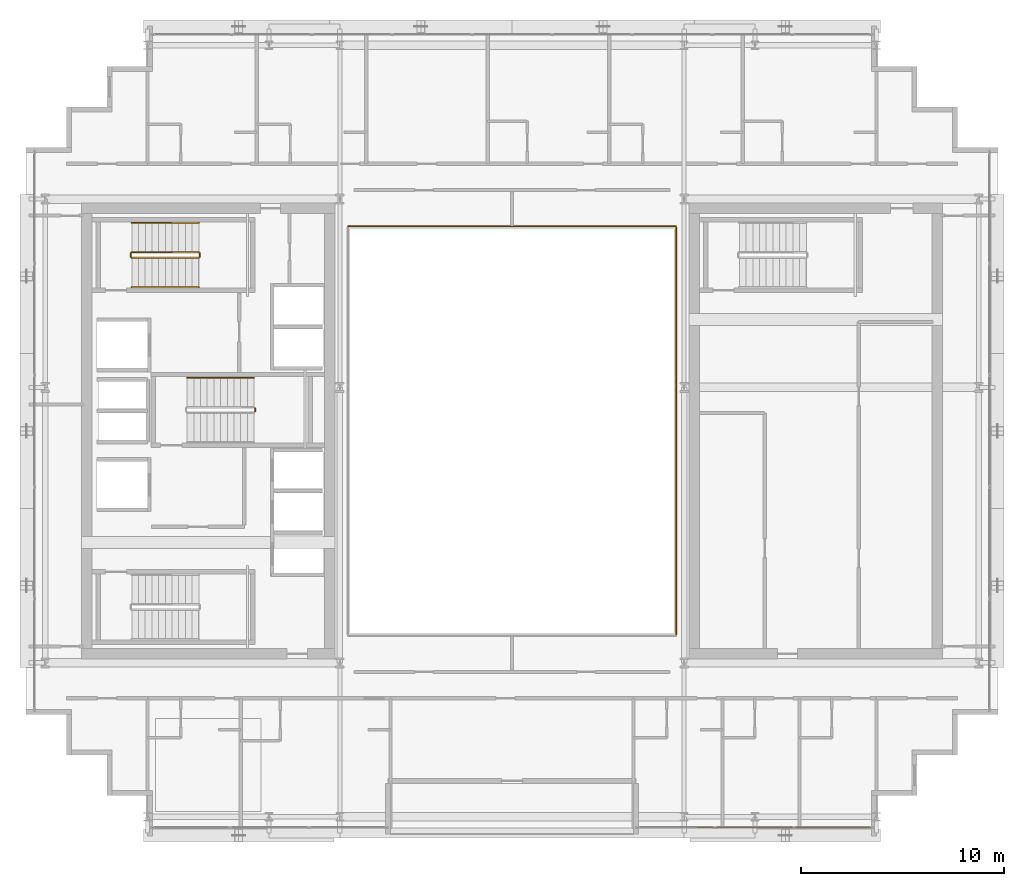
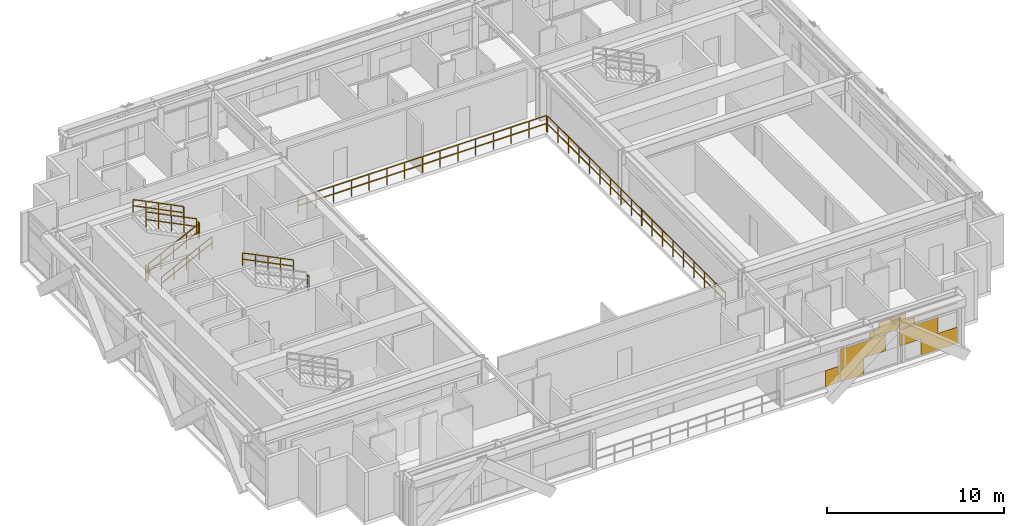
# One storey, part 29 of 31: 10 railings, 1 covering.
"""IFC4 building model written with IfcOpenShell, lengths in metres."""

from ifc_helpers import new_model, si_unit, direction, frame, origin, origin_2d, place, context, subcontext, project, spatial, rectangle, extrude, material, layer, layer_set, type_object, element, save


model = new_model("IFC4")

# Units and contexts
model_context = context("Model", 3, precision=1e-05, world=origin(), true_north=direction((0.0, 1.0)))
body_context = subcontext(model_context, "Body", "Model", "MODEL_VIEW")
ifc_project = project(units=[si_unit("LENGTHUNIT", "METRE"), si_unit("AREAUNIT", "SQUARE_METRE"), si_unit("VOLUMEUNIT", "CUBIC_METRE"), si_unit("PLANEANGLEUNIT", "RADIAN"), si_unit("MASSUNIT", "GRAM", prefix="KILO")], contexts=[model_context])

# Site, building, storey
site_placement = place(None, origin())
site = spatial("IfcSite", under=ifc_project, at=site_placement, CompositionType="ELEMENT")
building_placement = place(site_placement, origin())
building = spatial("IfcBuilding", under=site, at=building_placement, Name="Ocotamira Hotel", CompositionType="ELEMENT")
storey_placement = place(building_placement, frame((0.0, 0.0, 202.800048828125)))
storey = spatial("IfcBuildingStorey", under=building, at=storey_placement, Name="L51", CompositionType="ELEMENT", Elevation=202.800048828125)

# Covering
ifc_material_1 = material(Name="Insulated pale-metal aluminium spandrel panel", Category="aluminium")
ifc_layer = layer(ifc_material_1, 0.044921875)
ifc_layer_set = layer_set([ifc_layer], Name="Insulated pale-metal aluminium spandrel panel")
covering_type = type_object("IfcCoveringType", Name="COV-INFILL-45", PredefinedType="CLADDING", material=ifc_layer_set)
covering_placement = place(storey_placement, origin())
element("IfcCovering", 1, at=covering_placement, inside=storey, type_object=covering_type, Name="L51 Curtain Wall Infill CW-4 CW-L51-S2", PredefinedType="CLADDING", context=body_context, shape_type="SweptSolid", body=[
    extrude(rectangle(XDim=0.85888671875, YDim=0.044921875, at=origin_2d()), frame((41.5634765625, 6.419921875, 0.0751953125), z_axis=(0.0, 0.0, 1.0), x_axis=(1.0, 0.0, 0.0)), (0.0, 0.0, 1.0), 1.117919921875),
    extrude(rectangle(XDim=1.578125, YDim=0.044921875, at=origin_2d()), frame((42.86279296875, 6.419921875, 0.0751953125), z_axis=(0.0, 0.0, 1.0), x_axis=(1.0, 0.0, 0.0)), (0.0, 0.0, 1.0), 1.117919921875),
    extrude(rectangle(XDim=2.9765625, YDim=0.044921875, at=origin_2d()), frame((43.56201171875, 6.419921875, 1.19384765625), z_axis=(0.0, 0.0, 1.0), x_axis=(1.0, 0.0, 0.0)), (0.0, 0.0, 1.0), 1.117919921875),
    extrude(rectangle(XDim=3.80224609375, YDim=0.044921875, at=origin_2d()), frame((43.97509765625, 6.419921875, 2.83154296875), z_axis=(0.0, 0.0, 1.0), x_axis=(1.0, 0.0, 0.0)), (0.0, 0.0, 1.0), 0.0302734375),
    extrude(rectangle(XDim=1.8515625, YDim=0.044921875, at=origin_2d()), frame((44.950439453125, 6.419921875, 2.3876953125), z_axis=(0.0, 0.0, 1.0), x_axis=(1.0, 0.0, 0.0)), (0.0, 0.0, 1.0), 0.442626953125),
    extrude(rectangle(XDim=1.258056640625, YDim=0.044921875, at=origin_2d()), frame((45.2470703125, 6.419921875, 2.86279296875), z_axis=(0.0, 0.0, 1.0), x_axis=(1.0, 0.0, 0.0)), (0.0, 0.0, 1.0), 0.431640625),
    extrude(rectangle(XDim=2.510498046875, YDim=0.044921875, at=origin_2d()), frame((47.21240234375, 6.419921875, 1.19384765625), z_axis=(0.0, 0.0, 1.0), x_axis=(1.0, 0.0, 0.0)), (0.0, 0.0, 1.0), 1.117919921875),
    extrude(rectangle(XDim=2.37158203125, YDim=0.044921875, at=origin_2d()), frame((48.53369140625, 6.419921875, 0.0751953125), z_axis=(0.0, 0.0, 1.0), x_axis=(1.0, 0.0, 0.0)), (0.0, 0.0, 1.0), 1.117919921875),
    extrude(rectangle(XDim=1.018310546875, YDim=0.044921875, at=origin_2d()), frame((46.46630859375, 6.419921875, 2.3876953125), z_axis=(0.0, 0.0, 1.0), x_axis=(1.0, 0.0, 0.0)), (0.0, 0.0, 1.0), 0.442626953125),
    extrude(rectangle(XDim=3.76220703125, YDim=0.044921875, at=origin_2d()), frame((47.83837890625, 6.419921875, 2.83154296875), z_axis=(0.0, 0.0, 1.0), x_axis=(1.0, 0.0, 0.0)), (0.0, 0.0, 1.0), 0.0302734375),
    extrude(rectangle(XDim=0.4248046875, YDim=0.044921875, at=origin_2d()), frame((46.16943359375, 6.419921875, 2.86279296875), z_axis=(0.0, 0.0, 1.0), x_axis=(1.0, 0.0, 0.0)), (0.0, 0.0, 1.0), 0.431640625),
])

# Railings
ifc_material_2 = material(Name="Painted steel stair guardrail", Category="steel")
railing_type_1 = type_object("IfcRailingType", Name="RL-EDGE-1150", PredefinedType="GUARDRAIL", material=ifc_material_2)
railing_1_placement = place(storey_placement, frame((40.1201171875, 15.9599609375, 0.0)))
element("IfcRailing", 2, at=railing_1_placement, inside=storey, type_object=railing_type_1, Name="L51 Central Atrium Edge Guardrail E", PredefinedType="GUARDRAIL", context=body_context, shape_type="SweptSolid", body=[
    extrude(rectangle(XDim=0.048095703125, YDim=0.048095703125, at=origin_2d()), frame((0.0, 0.0, 1.1259765625), z_axis=(0.0, 1.0, 0.0), x_axis=(-1.0, 0.0, 0.0)), (0.0, 0.0, 1.0), 20.080078125),
    extrude(rectangle(XDim=0.048095703125, YDim=0.048095703125, at=origin_2d()), frame((0.0, 0.0, 0.574951171875), z_axis=(0.0, 1.0, 0.0), x_axis=(-1.0, 0.0, 0.0)), (0.0, 0.0, 1.0), 20.080078125),
    extrude(rectangle(XDim=0.0419921875, YDim=0.0419921875, at=origin_2d()), origin(), (0.0, 0.0, 1.0), 1.101806640625),
    extrude(rectangle(XDim=0.0419921875, YDim=0.0419921875, at=origin_2d()), frame((0.0, 1.18115234375, 0.0)), (0.0, 0.0, 1.0), 1.101806640625),
    extrude(rectangle(XDim=0.0419921875, YDim=0.0419921875, at=origin_2d()), frame((0.0, 2.3623046875, 0.0)), (0.0, 0.0, 1.0), 1.101806640625),
    extrude(rectangle(XDim=0.0419921875, YDim=0.0419921875, at=origin_2d()), frame((0.0, 3.54345703125, 0.0)), (0.0, 0.0, 1.0), 1.101806640625),
    extrude(rectangle(XDim=0.0419921875, YDim=0.0419921875, at=origin_2d()), frame((0.0, 4.724609375, 0.0)), (0.0, 0.0, 1.0), 1.101806640625),
    extrude(rectangle(XDim=0.0419921875, YDim=0.0419921875, at=origin_2d()), frame((0.0, 5.906005859375, 0.0)), (0.0, 0.0, 1.0), 1.101806640625),
    extrude(rectangle(XDim=0.0419921875, YDim=0.0419921875, at=origin_2d()), frame((0.0, 7.087158203125, 0.0)), (0.0, 0.0, 1.0), 1.101806640625),
    extrude(rectangle(XDim=0.0419921875, YDim=0.0419921875, at=origin_2d()), frame((0.0, 8.268310546875, 0.0)), (0.0, 0.0, 1.0), 1.101806640625),
    extrude(rectangle(XDim=0.0419921875, YDim=0.0419921875, at=origin_2d()), frame((0.0, 9.449462890625, 0.0)), (0.0, 0.0, 1.0), 1.101806640625),
    extrude(rectangle(XDim=0.0419921875, YDim=0.0419921875, at=origin_2d()), frame((0.0, 10.630615234375, 0.0)), (0.0, 0.0, 1.0), 1.101806640625),
    extrude(rectangle(XDim=0.0419921875, YDim=0.0419921875, at=origin_2d()), frame((0.0, 11.811767578125, 0.0)), (0.0, 0.0, 1.0), 1.101806640625),
    extrude(rectangle(XDim=0.0419921875, YDim=0.0419921875, at=origin_2d()), frame((0.0, 12.992919921875, 0.0)), (0.0, 0.0, 1.0), 1.101806640625),
    extrude(rectangle(XDim=0.0419921875, YDim=0.0419921875, at=origin_2d()), frame((0.0, 14.174072265625, 0.0)), (0.0, 0.0, 1.0), 1.101806640625),
    extrude(rectangle(XDim=0.0419921875, YDim=0.0419921875, at=origin_2d()), frame((0.0, 15.35546875, 0.0)), (0.0, 0.0, 1.0), 1.101806640625),
    extrude(rectangle(XDim=0.0419921875, YDim=0.0419921875, at=origin_2d()), frame((0.0, 16.53662109375, 0.0)), (0.0, 0.0, 1.0), 1.101806640625),
    extrude(rectangle(XDim=0.0419921875, YDim=0.0419921875, at=origin_2d()), frame((0.0, 17.7177734375, 0.0)), (0.0, 0.0, 1.0), 1.101806640625),
    extrude(rectangle(XDim=0.0419921875, YDim=0.0419921875, at=origin_2d()), frame((0.0, 18.89892578125, 0.0)), (0.0, 0.0, 1.0), 1.101806640625),
    extrude(rectangle(XDim=0.0419921875, YDim=0.0419921875, at=origin_2d()), frame((0.0, 20.080078125, 0.0)), (0.0, 0.0, 1.0), 1.101806640625),
])
railing_2_placement = place(storey_placement, frame((40.10009765625, 36.1201171875, 0.0)))
element("IfcRailing", 3, at=railing_2_placement, inside=storey, type_object=railing_type_1, Name="L51 Central Atrium Edge Guardrail N", PredefinedType="GUARDRAIL", context=body_context, shape_type="SweptSolid", body=[
    extrude(rectangle(XDim=0.048095703125, YDim=0.048095703125, at=origin_2d()), frame((0.0, 0.0, 1.1259765625), z_axis=(-1.0, 0.0, 0.0), x_axis=(0.0, -1.0, 0.0)), (0.0, 0.0, 1.0), 16.2001953125),
    extrude(rectangle(XDim=0.048095703125, YDim=0.048095703125, at=origin_2d()), frame((0.0, 0.0, 0.574951171875), z_axis=(-1.0, 0.0, 0.0), x_axis=(0.0, -1.0, 0.0)), (0.0, 0.0, 1.0), 16.2001953125),
    extrude(rectangle(XDim=0.0419921875, YDim=0.0419921875, at=origin_2d()), origin(), (0.0, 0.0, 1.0), 1.101806640625),
    extrude(rectangle(XDim=0.0419921875, YDim=0.0419921875, at=origin_2d()), frame((-1.1572265625, 0.0, 0.0)), (0.0, 0.0, 1.0), 1.101806640625),
    extrude(rectangle(XDim=0.0419921875, YDim=0.0419921875, at=origin_2d()), frame((-2.314208984375, 0.0, 0.0)), (0.0, 0.0, 1.0), 1.101806640625),
    extrude(rectangle(XDim=0.0419921875, YDim=0.0419921875, at=origin_2d()), frame((-3.471435546875, 0.0, 0.0)), (0.0, 0.0, 1.0), 1.101806640625),
    extrude(rectangle(XDim=0.0419921875, YDim=0.0419921875, at=origin_2d()), frame((-4.628662109375, 0.0, 0.0)), (0.0, 0.0, 1.0), 1.101806640625),
    extrude(rectangle(XDim=0.0419921875, YDim=0.0419921875, at=origin_2d()), frame((-5.785888671875, 0.0, 0.0)), (0.0, 0.0, 1.0), 1.101806640625),
    extrude(rectangle(XDim=0.0419921875, YDim=0.0419921875, at=origin_2d()), frame((-6.94287109375, 0.0, 0.0)), (0.0, 0.0, 1.0), 1.101806640625),
    extrude(rectangle(XDim=0.0419921875, YDim=0.0419921875, at=origin_2d()), frame((-8.10009765625, 0.0, 0.0)), (0.0, 0.0, 1.0), 1.101806640625),
    extrude(rectangle(XDim=0.0419921875, YDim=0.0419921875, at=origin_2d()), frame((-9.25732421875, 0.0, 0.0)), (0.0, 0.0, 1.0), 1.101806640625),
    extrude(rectangle(XDim=0.0419921875, YDim=0.0419921875, at=origin_2d()), frame((-10.414306640625, 0.0, 0.0)), (0.0, 0.0, 1.0), 1.101806640625),
    extrude(rectangle(XDim=0.0419921875, YDim=0.0419921875, at=origin_2d()), frame((-11.571533203125, 0.0, 0.0)), (0.0, 0.0, 1.0), 1.101806640625),
    extrude(rectangle(XDim=0.0419921875, YDim=0.0419921875, at=origin_2d()), frame((-12.728759765625, 0.0, 0.0)), (0.0, 0.0, 1.0), 1.101806640625),
    extrude(rectangle(XDim=0.0419921875, YDim=0.0419921875, at=origin_2d()), frame((-13.885986328125, 0.0, 0.0)), (0.0, 0.0, 1.0), 1.101806640625),
    extrude(rectangle(XDim=0.0419921875, YDim=0.0419921875, at=origin_2d()), frame((-15.04296875, 0.0, 0.0)), (0.0, 0.0, 1.0), 1.101806640625),
    extrude(rectangle(XDim=0.0419921875, YDim=0.0419921875, at=origin_2d()), frame((-16.2001953125, 0.0, 0.0)), (0.0, 0.0, 1.0), 1.101806640625),
])
ifc_material_3 = material(Name="Brushed stainless steel handrail", Category="steel")
railing_type_2 = type_object("IfcRailingType", Name="RL-HAND-900", PredefinedType="HANDRAIL", material=ifc_material_3)
railing_3_placement = place(storey_placement, frame((13.22998046875, 33.10009765625, 0.3271484375)))
element("IfcRailing", 4, at=railing_3_placement, inside=storey, type_object=railing_type_2, Name="L51 ST-2 stair handrail 1", PredefinedType="HANDRAIL", context=body_context, shape_type="SweptSolid", body=[
    extrude(rectangle(XDim=0.048095703125, YDim=0.048095703125, at=origin_2d()), frame((0.0, 0.0, 0.8759765625), z_axis=(0.895893744519, 0.0, 0.4442683857), x_axis=(0.0, 1.0, 0.0)), (0.0, 0.0, 1.0), 3.68359375),
    extrude(rectangle(XDim=0.048095703125, YDim=0.048095703125, at=origin_2d()), frame((0.0, 0.0, 0.449951171875), z_axis=(0.895893744519, 0.0, 0.4442683857), x_axis=(0.0, 1.0, 0.0)), (0.0, 0.0, 1.0), 3.68359375),
    extrude(rectangle(XDim=0.0419921875, YDim=0.0419921875, at=origin_2d()), origin(), (0.0, 0.0, 1.0), 0.851806640625),
    extrude(rectangle(XDim=0.0419921875, YDim=0.0419921875, at=origin_2d()), frame((0.824951171875, 0.0, 0.4091796875)), (0.0, 0.0, 1.0), 0.851806640625),
    extrude(rectangle(XDim=0.0419921875, YDim=0.0419921875, at=origin_2d()), frame((1.64990234375, 0.0, 0.818359375)), (0.0, 0.0, 1.0), 0.851806640625),
    extrude(rectangle(XDim=0.0419921875, YDim=0.0419921875, at=origin_2d()), frame((2.47509765625, 0.0, 1.227294921875)), (0.0, 0.0, 1.0), 0.851806640625),
    extrude(rectangle(XDim=0.0419921875, YDim=0.0419921875, at=origin_2d()), frame((3.300048828125, 0.0, 1.636474609375)), (0.0, 0.0, 1.0), 0.851806640625),
])
for number, where, name in (
    (5, (16.530029296875, 36.280029296875, 2.127197265625), "L51 ST-2 stair handrail 2"),
    (6, (19.260009765625, 28.6298828125, 2.127197265625), "L51 ST-3 stair handrail 2"),
):
    element("IfcRailing", number, at=place(storey_placement, frame(where)), inside=storey, type_object=railing_type_2, Name=name, PredefinedType="HANDRAIL", context=body_context, shape_type="SweptSolid", body=[
        extrude(rectangle(XDim=0.048095703125, YDim=0.048095703125, at=origin_2d()), frame((0.0, 0.0, 0.8759765625), z_axis=(-0.895893744519, 0.0, 0.4442683857), x_axis=(0.0, -1.0, 0.0)), (0.0, 0.0, 1.0), 3.68359375),
        extrude(rectangle(XDim=0.048095703125, YDim=0.048095703125, at=origin_2d()), frame((0.0, 0.0, 0.449951171875), z_axis=(-0.895893744519, 0.0, 0.4442683857), x_axis=(0.0, -1.0, 0.0)), (0.0, 0.0, 1.0), 3.68359375),
        extrude(rectangle(XDim=0.0419921875, YDim=0.0419921875, at=origin_2d()), origin(), (0.0, 0.0, 1.0), 0.851806640625),
        extrude(rectangle(XDim=0.0419921875, YDim=0.0419921875, at=origin_2d()), frame((-0.824951171875, 0.0, 0.4091796875)), (0.0, 0.0, 1.0), 0.851806640625),
        extrude(rectangle(XDim=0.0419921875, YDim=0.0419921875, at=origin_2d()), frame((-1.64990234375, 0.0, 0.818359375)), (0.0, 0.0, 1.0), 0.851806640625),
        extrude(rectangle(XDim=0.0419921875, YDim=0.0419921875, at=origin_2d()), frame((-2.47509765625, 0.0, 1.227294921875)), (0.0, 0.0, 1.0), 0.851806640625),
        extrude(rectangle(XDim=0.0419921875, YDim=0.0419921875, at=origin_2d()), frame((-3.300048828125, 0.0, 1.636474609375)), (0.0, 0.0, 1.0), 0.851806640625),
    ])
railing_type_3 = type_object("IfcRailingType", Name="RL-STAIR-1100", PredefinedType="GUARDRAIL", material=ifc_material_2)
railing_4_placement = place(storey_placement, frame((13.22998046875, 34.56005859375, 0.16357421875)))
element("IfcRailing", 7, at=railing_4_placement, inside=storey, type_object=railing_type_3, Name="L51 ST-2 stair guard 1", PredefinedType="GUARDRAIL", context=body_context, shape_type="SweptSolid", body=[
    extrude(rectangle(XDim=0.048095703125, YDim=0.048095703125, at=origin_2d()), frame((0.0, 0.0, 1.076171875), z_axis=(0.895893744519, 0.0, 0.4442683857), x_axis=(0.0, 1.0, 0.0)), (0.0, 0.0, 1.0), 3.68359375),
    extrude(rectangle(XDim=0.048095703125, YDim=0.048095703125, at=origin_2d()), frame((0.0, 0.0, 0.550048828125), z_axis=(0.895893744519, 0.0, 0.4442683857), x_axis=(0.0, 1.0, 0.0)), (0.0, 0.0, 1.0), 3.68359375),
    extrude(rectangle(XDim=0.0419921875, YDim=0.0419921875, at=origin_2d()), origin(), (0.0, 0.0, 1.0), 1.052001953125),
    extrude(rectangle(XDim=0.0419921875, YDim=0.0419921875, at=origin_2d()), frame((0.824951171875, 0.0, 0.4091796875)), (0.0, 0.0, 1.0), 1.052001953125),
    extrude(rectangle(XDim=0.0419921875, YDim=0.0419921875, at=origin_2d()), frame((1.64990234375, 0.0, 0.818359375)), (0.0, 0.0, 1.0), 1.052001953125),
    extrude(rectangle(XDim=0.0419921875, YDim=0.0419921875, at=origin_2d()), frame((2.47509765625, 0.0, 1.227294921875)), (0.0, 0.0, 1.0), 1.052001953125),
    extrude(rectangle(XDim=0.0419921875, YDim=0.0419921875, at=origin_2d()), frame((3.300048828125, 0.0, 1.636474609375)), (0.0, 0.0, 1.0), 1.052001953125),
])
railing_5_placement = place(storey_placement, frame((16.580078125, 34.610107421875, 1.800048828125)))
element("IfcRailing", 8, at=railing_5_placement, inside=storey, type_object=railing_type_3, Name="L51 ST-2 stair guard 2", PredefinedType="GUARDRAIL", context=body_context, shape_type="SweptSolid", body=[
    extrude(rectangle(XDim=0.048095703125, YDim=0.048095703125, at=origin_2d()), frame((0.0, 0.0, 1.076171875), z_axis=(0.0, 1.0, 0.0), x_axis=(-1.0, 0.0, 0.0)), (0.0, 0.0, 1.0), 0.159912109375),
    extrude(rectangle(XDim=0.048095703125, YDim=0.048095703125, at=origin_2d()), frame((0.0, 0.0, 0.550048828125), z_axis=(0.0, 1.0, 0.0), x_axis=(-1.0, 0.0, 0.0)), (0.0, 0.0, 1.0), 0.159912109375),
    extrude(rectangle(XDim=0.0419921875, YDim=0.0419921875, at=origin_2d()), origin(), (0.0, 0.0, 1.0), 1.052001953125),
    extrude(rectangle(XDim=0.0419921875, YDim=0.0419921875, at=origin_2d()), frame((0.0, 0.159912109375, 0.0)), (0.0, 0.0, 1.0), 1.052001953125),
])
railing_6_placement = place(storey_placement, frame((16.530029296875, 34.820068359375, 1.963623046875)))
element("IfcRailing", 9, at=railing_6_placement, inside=storey, type_object=railing_type_3, Name="L51 ST-2 stair guard 3", PredefinedType="GUARDRAIL", context=body_context, shape_type="SweptSolid", body=[
    extrude(rectangle(XDim=0.048095703125, YDim=0.048095703125, at=origin_2d()), frame((0.0, 0.0, 1.076171875), z_axis=(-0.895920123917, 0.0, 0.444215186098), x_axis=(0.0, -1.0, 0.0)), (0.0, 0.0, 1.0), 3.683349609375),
    extrude(rectangle(XDim=0.048095703125, YDim=0.048095703125, at=origin_2d()), frame((0.0, 0.0, 0.550048828125), z_axis=(-0.895920123917, 0.0, 0.444215186098), x_axis=(0.0, -1.0, 0.0)), (0.0, 0.0, 1.0), 3.683349609375),
    extrude(rectangle(XDim=0.0419921875, YDim=0.0419921875, at=origin_2d()), origin(), (0.0, 0.0, 1.0), 1.052001953125),
    extrude(rectangle(XDim=0.0419921875, YDim=0.0419921875, at=origin_2d()), frame((-0.824951171875, 0.0, 0.4091796875)), (0.0, 0.0, 1.0), 1.052001953125),
    extrude(rectangle(XDim=0.0419921875, YDim=0.0419921875, at=origin_2d()), frame((-1.64990234375, 0.0, 0.818115234375)), (0.0, 0.0, 1.0), 1.052001953125),
    extrude(rectangle(XDim=0.0419921875, YDim=0.0419921875, at=origin_2d()), frame((-2.47509765625, 0.0, 1.22705078125)), (0.0, 0.0, 1.0), 1.052001953125),
    extrude(rectangle(XDim=0.0419921875, YDim=0.0419921875, at=origin_2d()), frame((-3.300048828125, 0.0, 1.63623046875)), (0.0, 0.0, 1.0), 1.052001953125),
])
railing_7_placement = place(storey_placement, frame((13.179931640625, 34.610107421875, 0.0)))
element("IfcRailing", 10, at=railing_7_placement, inside=storey, type_object=railing_type_3, Name="L51 ST-2 stair guard 4", PredefinedType="GUARDRAIL", context=body_context, shape_type="SweptSolid", body=[
    extrude(rectangle(XDim=0.048095703125, YDim=0.048095703125, at=origin_2d()), frame((0.0, 0.0, 1.076171875), z_axis=(0.0, 1.0, 0.0), x_axis=(-1.0, 0.0, 0.0)), (0.0, 0.0, 1.0), 0.159912109375),
    extrude(rectangle(XDim=0.048095703125, YDim=0.048095703125, at=origin_2d()), frame((0.0, 0.0, 0.550048828125), z_axis=(0.0, 1.0, 0.0), x_axis=(-1.0, 0.0, 0.0)), (0.0, 0.0, 1.0), 0.159912109375),
    extrude(rectangle(XDim=0.0419921875, YDim=0.0419921875, at=origin_2d()), origin(), (0.0, 0.0, 1.0), 1.052001953125),
    extrude(rectangle(XDim=0.0419921875, YDim=0.0419921875, at=origin_2d()), frame((0.0, 0.159912109375, 0.0)), (0.0, 0.0, 1.0), 1.052001953125),
])
railing_8_placement = place(storey_placement, frame((19.31005859375, 26.9599609375, 1.800048828125)))
element("IfcRailing", 11, at=railing_8_placement, inside=storey, type_object=railing_type_3, Name="L51 ST-3 stair guard 2", PredefinedType="GUARDRAIL", context=body_context, shape_type="SweptSolid", body=[
    extrude(rectangle(XDim=0.048095703125, YDim=0.048095703125, at=origin_2d()), frame((0.0, 0.0, 1.076171875), z_axis=(0.0, 1.0, 0.0), x_axis=(-1.0, 0.0, 0.0)), (0.0, 0.0, 1.0), 0.16015625),
    extrude(rectangle(XDim=0.048095703125, YDim=0.048095703125, at=origin_2d()), frame((0.0, 0.0, 0.550048828125), z_axis=(0.0, 1.0, 0.0), x_axis=(-1.0, 0.0, 0.0)), (0.0, 0.0, 1.0), 0.16015625),
    extrude(rectangle(XDim=0.0419921875, YDim=0.0419921875, at=origin_2d()), origin(), (0.0, 0.0, 1.0), 1.052001953125),
    extrude(rectangle(XDim=0.0419921875, YDim=0.0419921875, at=origin_2d()), frame((0.0, 0.16015625, 0.0)), (0.0, 0.0, 1.0), 1.052001953125),
])

save(model, "model.ifc")
